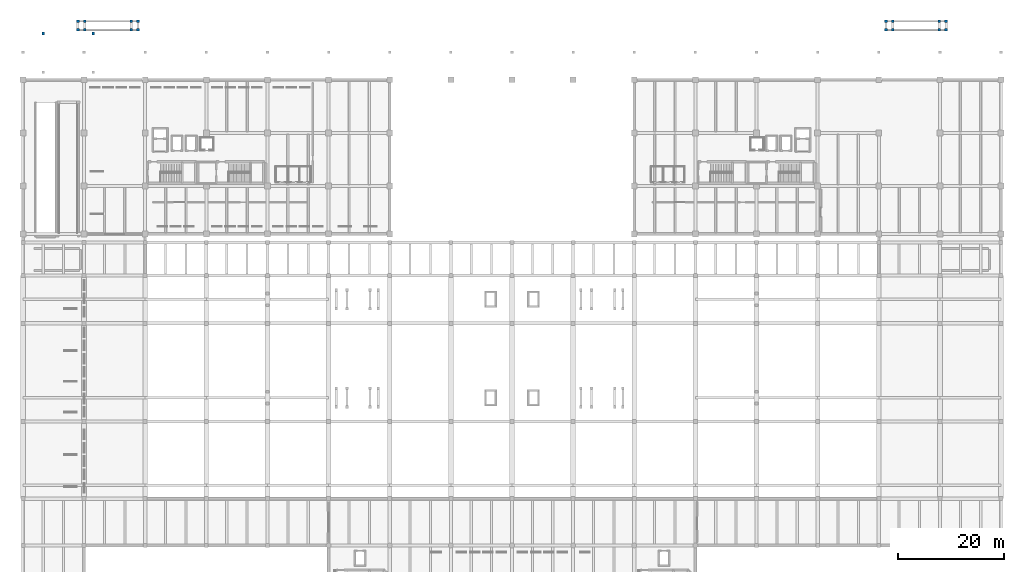
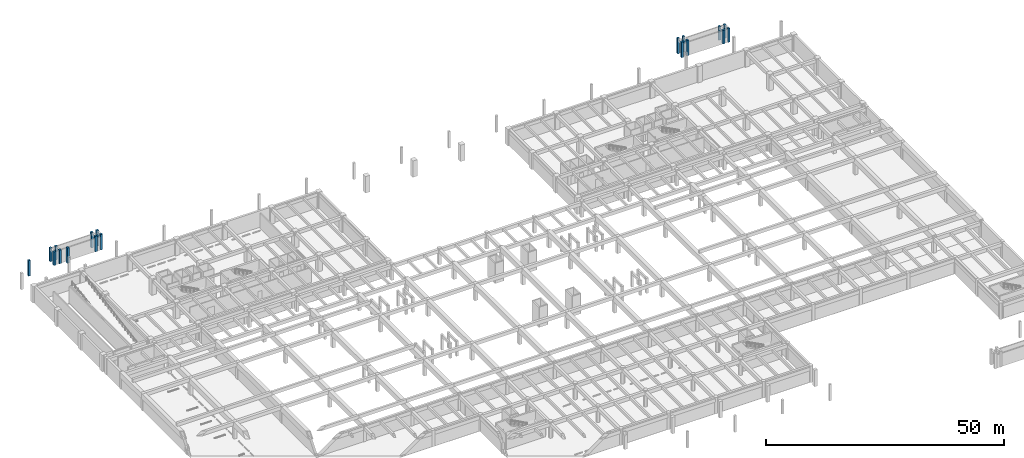
# One storey, part 3 of 20: 18 columns.
"""IFC4 building model written with IfcOpenShell, lengths in metres."""

from ifc_helpers import new_model, si_unit, direction, frame, origin, origin_2d, place, context, subcontext, project, spatial, rectangle, extrude, material, material_profile, profile_set, type_object, element, save


model = new_model("IFC4")

# Units and contexts
model_context = context("Model", 3, precision=1e-05, world=origin(), true_north=direction((0.0, 1.0)))
body_context = subcontext(model_context, "Body", "Model", "MODEL_VIEW")
ifc_project = project(units=[si_unit("LENGTHUNIT", "METRE"), si_unit("AREAUNIT", "SQUARE_METRE"), si_unit("VOLUMEUNIT", "CUBIC_METRE"), si_unit("PLANEANGLEUNIT", "RADIAN"), si_unit("MASSUNIT", "GRAM", prefix="KILO")], contexts=[model_context])

# Site, building, storey
site_placement = place(None, origin())
site = spatial("IfcSite", under=ifc_project, at=site_placement, CompositionType="ELEMENT")
building_placement = place(site_placement, origin())
building = spatial("IfcBuilding", under=site, at=building_placement, Name="Ologun Quay Terminus", CompositionType="ELEMENT")
storey_placement = place(building_placement, frame((0.0, 0.0, -4.199951171875)))
storey = spatial("IfcBuildingStorey", under=building, at=storey_placement, Name="B01", CompositionType="ELEMENT", Elevation=-4.199951171875)

# Columns
ifc_material = material(Name="Concrete C40/50", Category="concrete")
ifc_material_profile = material_profile(ifc_material, rectangle(XDim=0.5, YDim=0.5, at=origin_2d()), Name="RC 500x500")
ifc_profile_set = profile_set([ifc_material_profile], Name="Concrete C40/50")
column_type = type_object("IfcColumnType", Name="Canopy Edge Column 500x500", PredefinedType="COLUMN", material=ifc_profile_set)
for number, where, z_axis, x_axis, name in (
    (1, (10.35009765625, 124.199951171875, 0.0), (0.0, 0.0, 1.0), (1.0, 0.0, 0.0), "C8 Ramp Landing Column 1WS B01"),
    (2, (10.35009765625, 125.800048828125, 0.0), (0.0, 0.0, 1.0), (1.0, 0.0, 0.0), "C8 Ramp Landing Column 1WN B01"),
    (3, (11.64990234375, 124.199951171875, 0.0), (0.0, 0.0, 1.0), (1.0, 0.0, 0.0), "C8 Ramp Landing Column 1ES B01"),
    (4, (11.64990234375, 125.800048828125, 0.0), (0.0, 0.0, 1.0), (1.0, 0.0, 0.0), "C8 Ramp Landing Column 1EN B01"),
):
    element("IfcColumn", number, at=place(storey_placement, frame(where, z_axis=z_axis, x_axis=x_axis)), inside=storey, type_object=column_type, Name=name, PredefinedType="COLUMN", context=body_context, shape_type="SweptSolid", body=[
        extrude(rectangle(XDim=0.5, YDim=0.5, at=origin_2d()), origin(), (0.0, 0.0, 1.0), 3.47998046875),
    ])
for number, where, z_axis, x_axis, name in (
    (5, (20.35009765625, 124.199951171875, 0.0), (0.0, 0.0, 1.0), (1.0, 0.0, 0.0), "C8 Ramp Landing Column 2WS B01"),
    (6, (20.35009765625, 125.800048828125, 0.0), (0.0, 0.0, 1.0), (1.0, 0.0, 0.0), "C8 Ramp Landing Column 2WN B01"),
    (7, (21.64990234375, 124.199951171875, 0.0), (0.0, 0.0, 1.0), (1.0, 0.0, 0.0), "C8 Ramp Landing Column 2ES B01"),
    (8, (21.64990234375, 125.800048828125, 0.0), (0.0, 0.0, 1.0), (1.0, 0.0, 0.0), "C8 Ramp Landing Column 2EN B01"),
    (9, (162.35009765625, 124.199951171875, 0.0), (0.0, 0.0, 1.0), (1.0, 0.0, 0.0), "C8 Ramp Landing Column 3WS B01"),
    (10, (162.35009765625, 125.800048828125, 0.0), (0.0, 0.0, 1.0), (1.0, 0.0, 0.0), "C8 Ramp Landing Column 3WN B01"),
    (11, (163.64990234375, 124.199951171875, 0.0), (0.0, 0.0, 1.0), (1.0, 0.0, 0.0), "C8 Ramp Landing Column 3ES B01"),
    (12, (163.64990234375, 125.800048828125, 0.0), (0.0, 0.0, 1.0), (1.0, 0.0, 0.0), "C8 Ramp Landing Column 3EN B01"),
):
    element("IfcColumn", number, at=place(storey_placement, frame(where, z_axis=z_axis, x_axis=x_axis)), inside=storey, type_object=column_type, Name=name, PredefinedType="COLUMN", context=body_context, shape_type="SweptSolid", body=[
        extrude(rectangle(XDim=0.5, YDim=0.5, at=origin_2d()), origin(), (0.0, 0.0, 1.0), 3.97998046875),
    ])
for number, where, z_axis, x_axis, name in (
    (13, (172.35009765625, 124.199951171875, 0.0), (0.0, 0.0, 1.0), (1.0, 0.0, 0.0), "C8 Ramp Landing Column 4WS B01"),
    (14, (172.35009765625, 125.800048828125, 0.0), (0.0, 0.0, 1.0), (1.0, 0.0, 0.0), "C8 Ramp Landing Column 4WN B01"),
    (15, (173.64990234375, 124.199951171875, 0.0), (0.0, 0.0, 1.0), (1.0, 0.0, 0.0), "C8 Ramp Landing Column 4ES B01"),
    (16, (173.64990234375, 125.800048828125, 0.0), (0.0, 0.0, 1.0), (1.0, 0.0, 0.0), "C8 Ramp Landing Column 4EN B01"),
):
    element("IfcColumn", number, at=place(storey_placement, frame(where, z_axis=z_axis, x_axis=x_axis)), inside=storey, type_object=column_type, Name=name, PredefinedType="COLUMN", context=body_context, shape_type="SweptSolid", body=[
        extrude(rectangle(XDim=0.5, YDim=0.5, at=origin_2d()), origin(), (0.0, 0.0, 1.0), 3.47998046875),
    ])
for number, where, z_axis, x_axis, name in (
    (17, (3.800048828125, 123.5, 0.0), (0.0, 0.0, 1.0), (1.0, 0.0, 0.0), "C8 Driveway Apron Column 12 B01"),
    (18, (13.199951171875, 123.5, 0.0), (0.0, 0.0, 1.0), (1.0, 0.0, 0.0), "C8 Driveway Apron Column 22 B01"),
):
    element("IfcColumn", number, at=place(storey_placement, frame(where, z_axis=z_axis, x_axis=x_axis)), inside=storey, type_object=column_type, Name=name, PredefinedType="COLUMN", context=body_context, shape_type="SweptSolid", body=[
        extrude(rectangle(XDim=0.5, YDim=0.5, at=origin_2d()), origin(), (0.0, 0.0, 1.0), 3.93994140625),
    ])

save(model, "model.ifc")
